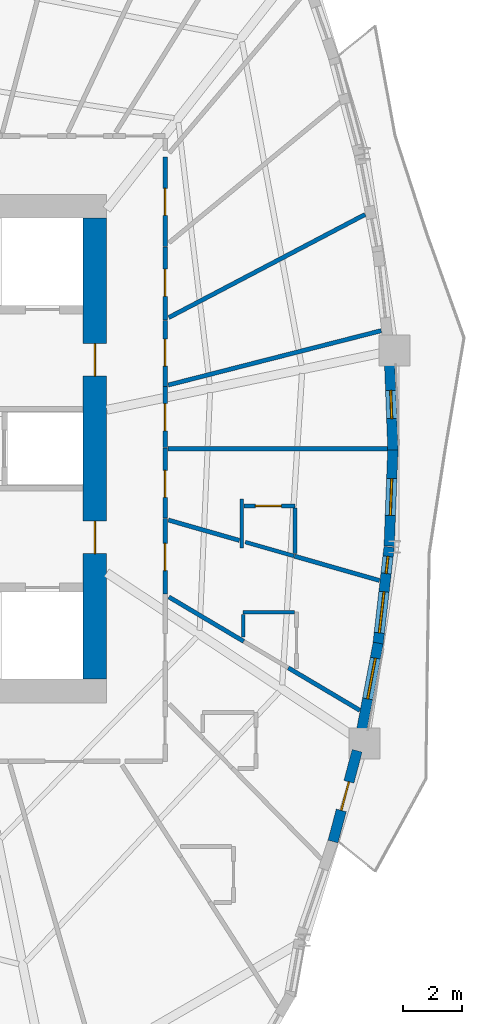
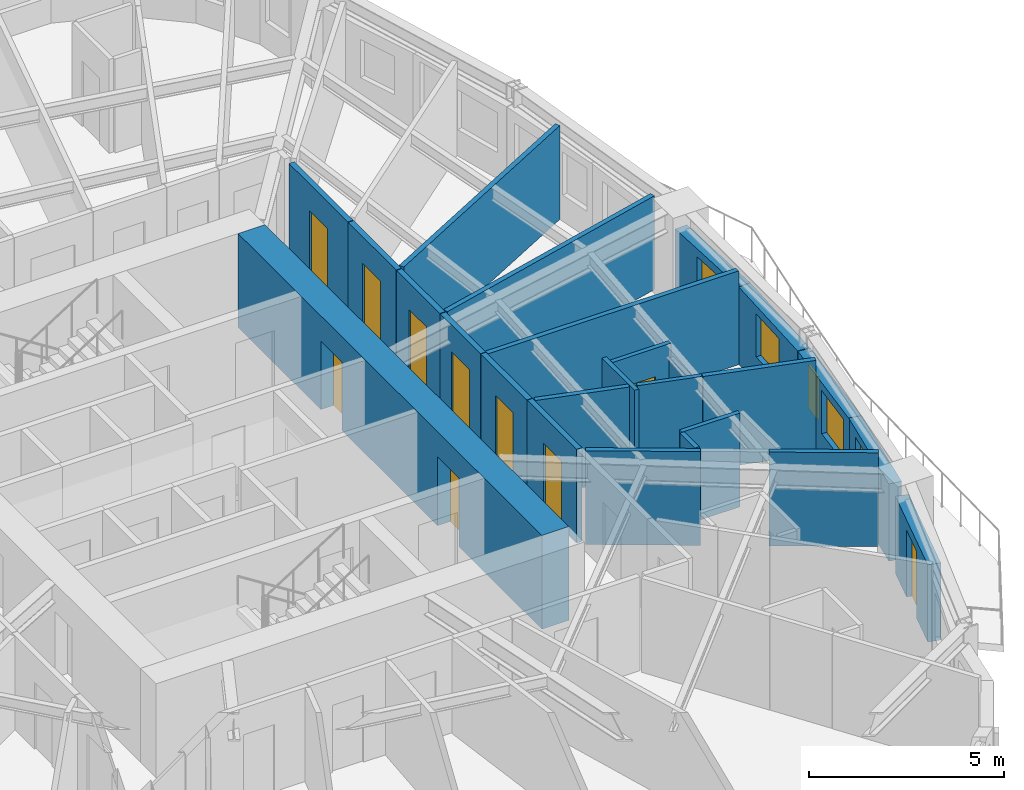
# One storey, part 7 of 14: 25 walls, 10 doors, 5 windows, 15 openings.
"""IFC4 building model written with IfcOpenShell, lengths in metres."""

from ifc_helpers import new_model, si_unit, direction, frame, frame_2d, origin, place, context, subcontext, project, spatial, rectangle, extrude, source, transform, mapped, material, layer, layer_set, type_object, element, fill, save


model = new_model("IFC4")

# Units and contexts
model_context = context("Model", 3, precision=1e-05, world=origin(), true_north=direction((0.0, 1.0)))
body_context = subcontext(model_context, "Body", "Model", "MODEL_VIEW")
ifc_project = project(units=[si_unit("LENGTHUNIT", "METRE"), si_unit("AREAUNIT", "SQUARE_METRE"), si_unit("VOLUMEUNIT", "CUBIC_METRE"), si_unit("PLANEANGLEUNIT", "RADIAN"), si_unit("MASSUNIT", "GRAM", prefix="KILO")], contexts=[model_context])

# Site, building, storey
site_placement = place(None, origin())
site = spatial("IfcSite", under=ifc_project, at=site_placement, CompositionType="ELEMENT")
building_placement = place(site_placement, origin())
building = spatial("IfcBuilding", under=site, at=building_placement, Name="Qafzar Sky-Pleat Residences", CompositionType="ELEMENT")
storey_placement = place(building_placement, frame((0.0, 0.0, 14.199951171875)))
storey = spatial("IfcBuildingStorey", under=building, at=storey_placement, Name="L03", CompositionType="ELEMENT", Elevation=14.199951171875)

# Wall, opening, door
ifc_material_1 = material(Name="Acoustic gypsum plasterboard partition", Category="gypsum")
ifc_layer_1 = layer(ifc_material_1, 0.159912109375)
ifc_layer_set_1 = layer_set([ifc_layer_1], Name="Acoustic gypsum plasterboard partition")
wall_type_1 = type_object("IfcWallType", Name="PART-COR-160", PredefinedType="PARTITIONING", material=ifc_layer_set_1)
wall_1_placement = place(storey_placement, frame((38.679931640625, 35.862060546875, 0.0), z_axis=(0.0, 0.0, 1.0), x_axis=(0.0, -1.0, 0.0)))
wall_1 = element("IfcWall", 1, at=wall_1_placement, inside=storey, type_object=wall_type_1, Name="L03 Partition Wall PART-L03-PW-007", PredefinedType="PARTITIONING", context=body_context, shape_type="SweptSolid", body=[
    extrude(rectangle(XDim=3.024169921875, YDim=0.159912109375, at=frame_2d((1.51220703125, 0.0))), origin(), (0.0, 0.0, 1.0), 2.93994140625),
])
opening_1_placement = place(wall_1_placement, frame((1.053466796875, 0.0, 0.0)))
opening_1 = element("IfcOpeningElement", 2, at=opening_1_placement, cuts=wall_1, Name="Opening ID-04", PredefinedType="OPENING", context=body_context, shape_type="SweptSolid", body=[
    extrude(rectangle(XDim=0.919921875, YDim=2.10009765625, at=frame_2d((0.4599609375, 1.050048828125))), frame((0.0, 0.08984375, 0.0), z_axis=(0.0, -1.0, 0.0), x_axis=(1.0, 0.0, 0.0)), (0.0, 0.0, 1.0), 0.179931640625),
])
ifc_material_2 = material(Name="Timber-faced fire door", Category="wood")
door_type_1 = type_object("IfcDoorType", Name="DR-BED-920", OperationType="NOTDEFINED", PredefinedType="DOOR", material=ifc_material_2)
shared_shape_1 = source(origin(), body_context, "Body", "SweptSolid", [
    extrude(rectangle(XDim=0.919921875, YDim=2.10009765625, at=frame_2d((0.4599609375, 1.050048828125))), frame((0.0, 0.02490234375, 0.0), z_axis=(0.0, -1.0, 0.0), x_axis=(1.0, 0.0, 0.0)), (0.0, 0.0, 1.0), 0.050048828125),
])
door_1_placement = place(opening_1_placement, origin())
door_1 = element("IfcDoor", 3, at=door_1_placement, inside=storey, type_object=door_type_1, Name="L03 Co-Living Bedroom 3 Door", OperationType="SINGLE_SWING_RIGHT", OverallHeight=2.10009765625, OverallWidth=0.919921875, PredefinedType="DOOR", context=body_context, shape_type="MappedRepresentation", body=[
    mapped(shared_shape_1, transform((0.0, 0.0, 0.0), x_axis=(1.0, 0.0, 0.0), y_axis=(0.0, 1.0, 0.0), z_axis=(0.0, 0.0, 1.0), scale=1.0)),
])
fill(opening_1, door_1)

wall_2_placement = place(storey_placement, frame((38.679931640625, 23.6298828125, 0.0), z_axis=(0.0, 0.0, 1.0), x_axis=(0.0, -1.0, 0.0)))
wall_2 = element("IfcWall", 4, at=wall_2_placement, inside=storey, type_object=wall_type_1, Name="L03 Partition Wall PART-L03-PW-012", PredefinedType="PARTITIONING", context=body_context, shape_type="SweptSolid", body=[
    extrude(rectangle(XDim=2.5419921875, YDim=0.159912109375, at=frame_2d((1.27099609375, 0.0))), origin(), (0.0, 0.0, 1.0), 2.93994140625),
])
opening_2_placement = place(wall_2_placement, frame((0.83544921875, 0.0, 0.0)))
opening_2 = element("IfcOpeningElement", 5, at=opening_2_placement, cuts=wall_2, Name="Opening ID-04", PredefinedType="OPENING", context=body_context, shape_type="SweptSolid", body=[
    extrude(rectangle(XDim=0.919921875, YDim=2.10009765625, at=frame_2d((0.4599609375, 1.050048828125))), frame((0.0, 0.08984375, 0.0), z_axis=(0.0, -1.0, 0.0), x_axis=(1.0, 0.0, 0.0)), (0.0, 0.0, 1.0), 0.179931640625),
])
door_2_placement = place(opening_2_placement, origin())
door_2 = element("IfcDoor", 6, at=door_2_placement, inside=storey, type_object=door_type_1, Name="L03 Co-Living Bedroom 19 Door", OperationType="SINGLE_SWING_LEFT", OverallHeight=2.10009765625, OverallWidth=0.919921875, PredefinedType="DOOR", context=body_context, shape_type="MappedRepresentation", body=[
    mapped(shared_shape_1, transform((0.0, 0.0, 0.0), x_axis=(1.0, 0.0, 0.0), y_axis=(0.0, 1.0, 0.0), z_axis=(0.0, 0.0, 1.0), scale=1.0)),
])
fill(opening_2, door_2)

wall_3_placement = place(storey_placement, frame((38.679931640625, 32.822998046875, 0.0), z_axis=(0.0, 0.0, 1.0), x_axis=(0.0, -1.0, 0.0)))
wall_3 = element("IfcWall", 7, at=wall_3_placement, inside=storey, type_object=wall_type_1, Name="L03 Partition Wall PART-L03-PW-013", PredefinedType="PARTITIONING", context=body_context, shape_type="SweptSolid", body=[
    extrude(rectangle(XDim=2.468017578125, YDim=0.159912109375, at=frame_2d((1.23388671875, 0.0))), origin(), (0.0, 0.0, 1.0), 2.93994140625),
])
opening_3_placement = place(wall_3_placement, frame((0.748046875, 0.0, 0.0)))
opening_3 = element("IfcOpeningElement", 8, at=opening_3_placement, cuts=wall_3, Name="Opening ID-04", PredefinedType="OPENING", context=body_context, shape_type="SweptSolid", body=[
    extrude(rectangle(XDim=0.919921875, YDim=2.10009765625, at=frame_2d((0.4599609375, 1.050048828125))), frame((0.0, 0.08984375, 0.0), z_axis=(0.0, -1.0, 0.0), x_axis=(1.0, 0.0, 0.0)), (0.0, 0.0, 1.0), 0.179931640625),
])
door_3_placement = place(opening_3_placement, origin())
door_3 = element("IfcDoor", 9, at=door_3_placement, inside=storey, type_object=door_type_1, Name="L03 Co-Living Bedroom 4 Door", OperationType="SINGLE_SWING_RIGHT", OverallHeight=2.10009765625, OverallWidth=0.919921875, PredefinedType="DOOR", context=body_context, shape_type="MappedRepresentation", body=[
    mapped(shared_shape_1, transform((0.0, 0.0, 0.0), x_axis=(1.0, 0.0, 0.0), y_axis=(0.0, 1.0, 0.0), z_axis=(0.0, 0.0, 1.0), scale=1.0)),
])
fill(opening_3, door_3)

wall_4_placement = place(storey_placement, frame((38.679931640625, 26.014892578125, 0.0), z_axis=(0.0, 0.0, 1.0), x_axis=(0.0, -1.0, 0.0)))
wall_4 = element("IfcWall", 10, at=wall_4_placement, inside=storey, type_object=wall_type_1, Name="L03 Partition Wall PART-L03-PW-015", PredefinedType="PARTITIONING", context=body_context, shape_type="SweptSolid", body=[
    extrude(rectangle(XDim=2.369873046875, YDim=0.159912109375, at=frame_2d((1.18505859375, 0.0))), origin(), (0.0, 0.0, 1.0), 2.93994140625),
])
opening_4_placement = place(wall_4_placement, frame((0.748046875, 0.0, 0.0)))
opening_4 = element("IfcOpeningElement", 11, at=opening_4_placement, cuts=wall_4, Name="Opening ID-04", PredefinedType="OPENING", context=body_context, shape_type="SweptSolid", body=[
    extrude(rectangle(XDim=0.919921875, YDim=2.10009765625, at=frame_2d((0.4599609375, 1.050048828125))), frame((0.0, 0.08984375, 0.0), z_axis=(0.0, -1.0, 0.0), x_axis=(1.0, 0.0, 0.0)), (0.0, 0.0, 1.0), 0.179931640625),
])
door_4_placement = place(opening_4_placement, origin())
door_4 = element("IfcDoor", 12, at=door_4_placement, inside=storey, type_object=door_type_1, Name="L03 Co-Living Bedroom 20 Door", OperationType="SINGLE_SWING_RIGHT", OverallHeight=2.10009765625, OverallWidth=0.919921875, PredefinedType="DOOR", context=body_context, shape_type="MappedRepresentation", body=[
    mapped(shared_shape_1, transform((0.0, 0.0, 0.0), x_axis=(1.0, 0.0, 0.0), y_axis=(0.0, 1.0, 0.0), z_axis=(0.0, 0.0, 1.0), scale=1.0)),
])
fill(opening_4, door_4)

wall_5_placement = place(storey_placement, frame((38.679931640625, 30.340087890625, 0.0), z_axis=(0.0, 0.0, 1.0), x_axis=(0.0, -1.0, 0.0)))
wall_5 = element("IfcWall", 13, at=wall_5_placement, inside=storey, type_object=wall_type_1, Name="L03 Partition Wall PART-L03-PW-019", PredefinedType="PARTITIONING", context=body_context, shape_type="SweptSolid", body=[
    extrude(rectangle(XDim=2.22998046875, YDim=0.159912109375, at=frame_2d((1.114990234375, 0.0))), origin(), (0.0, 0.0, 1.0), 2.93994140625),
])
opening_5_placement = place(wall_5_placement, frame((0.631591796875, 0.0, 0.0)))
opening_5 = element("IfcOpeningElement", 14, at=opening_5_placement, cuts=wall_5, Name="Opening ID-04", PredefinedType="OPENING", context=body_context, shape_type="SweptSolid", body=[
    extrude(rectangle(XDim=0.919921875, YDim=2.10009765625, at=frame_2d((0.4599609375, 1.050048828125))), frame((0.0, 0.08984375, 0.0), z_axis=(0.0, -1.0, 0.0), x_axis=(1.0, 0.0, 0.0)), (0.0, 0.0, 1.0), 0.179931640625),
])
door_5_placement = place(opening_5_placement, origin())
door_5 = element("IfcDoor", 15, at=door_5_placement, inside=storey, type_object=door_type_1, Name="L03 Co-Living Bedroom 1 Door", OperationType="SINGLE_SWING_LEFT", OverallHeight=2.10009765625, OverallWidth=0.919921875, PredefinedType="DOOR", context=body_context, shape_type="MappedRepresentation", body=[
    mapped(shared_shape_1, transform((0.0, 0.0, 0.0), x_axis=(1.0, 0.0, 0.0), y_axis=(0.0, 1.0, 0.0), z_axis=(0.0, 0.0, 1.0), scale=1.0)),
])
fill(opening_5, door_5)

wall_6_placement = place(storey_placement, frame((38.679931640625, 28.094970703125, 0.0), z_axis=(0.0, 0.0, 1.0), x_axis=(0.0, -1.0, 0.0)))
wall_6 = element("IfcWall", 16, at=wall_6_placement, inside=storey, type_object=wall_type_1, Name="L03 Partition Wall PART-L03-PW-021", PredefinedType="PARTITIONING", context=body_context, shape_type="SweptSolid", body=[
    extrude(rectangle(XDim=2.06494140625, YDim=0.159912109375, at=frame_2d((1.032470703125, 0.0))), origin(), (0.0, 0.0, 1.0), 2.93994140625),
])
opening_6_placement = place(wall_6_placement, frame((0.572509765625, 0.0, 0.0)))
opening_6 = element("IfcOpeningElement", 17, at=opening_6_placement, cuts=wall_6, Name="Opening ID-04", PredefinedType="OPENING", context=body_context, shape_type="SweptSolid", body=[
    extrude(rectangle(XDim=0.919921875, YDim=2.10009765625, at=frame_2d((0.4599609375, 1.050048828125))), frame((0.0, 0.08984375, 0.0), z_axis=(0.0, -1.0, 0.0), x_axis=(1.0, 0.0, 0.0)), (0.0, 0.0, 1.0), 0.179931640625),
])
door_6_placement = place(opening_6_placement, origin())
door_6 = element("IfcDoor", 18, at=door_6_placement, inside=storey, type_object=door_type_1, Name="L03 Co-Living Bedroom 2 Door", OperationType="SINGLE_SWING_LEFT", OverallHeight=2.10009765625, OverallWidth=0.919921875, PredefinedType="DOOR", context=body_context, shape_type="MappedRepresentation", body=[
    mapped(shared_shape_1, transform((0.0, 0.0, 0.0), x_axis=(1.0, 0.0, 0.0), y_axis=(0.0, 1.0, 0.0), z_axis=(0.0, 0.0, 1.0), scale=1.0)),
])
fill(opening_6, door_6)

# Walls
ifc_layer_2 = layer(ifc_material_1, 0.14501953125)
ifc_layer_set_2 = layer_set([ifc_layer_2], Name="Acoustic gypsum plasterboard partition")
wall_type_2 = type_object("IfcWallType", Name="PART-UNIT-145", PredefinedType="PARTITIONING", material=ifc_layer_set_2)
wall_7_placement = place(storey_placement, frame((38.80078125, 30.435302734375, 0.0), z_axis=(0.0, 0.0, 1.0), x_axis=(0.885428701358, 0.46477523042, 0.0)))
element("IfcWall", 19, at=wall_7_placement, inside=storey, type_object=wall_type_2, Name="L03 Partition Wall PART-L03-PW-049", PredefinedType="PARTITIONING", context=body_context, shape_type="SweptSolid", body=[
    extrude(rectangle(XDim=7.503173828125, YDim=0.14501953125, at=frame_2d((3.75146484375, 0.0))), origin(), (0.0, 0.0, 1.0), 2.93994140625),
])
wall_8_placement = place(storey_placement, frame((38.78564453125, 28.152099609375, 0.0), z_axis=(0.0, 0.0, 1.0), x_axis=(0.968940490632, 0.247294006424, 0.0)))
element("IfcWall", 20, at=wall_8_placement, inside=storey, type_object=wall_type_2, Name="L03 Partition Wall PART-L03-PW-050", PredefinedType="PARTITIONING", context=body_context, shape_type="SweptSolid", body=[
    extrude(rectangle(XDim=7.431884765625, YDim=0.14501953125, at=frame_2d((3.7158203125, 0.0))), origin(), (0.0, 0.0, 1.0), 2.93994140625),
])
wall_9_placement = place(storey_placement, frame((38.76806640625, 26.0, 0.0), z_axis=(0.0, 0.0, 1.0), x_axis=(1.0, 0.0, 0.0)))
element("IfcWall", 21, at=wall_9_placement, inside=storey, type_object=wall_type_2, Name="L03 Partition Wall PART-L03-PW-051", PredefinedType="PARTITIONING", context=body_context, shape_type="SweptSolid", body=[
    extrude(rectangle(XDim=7.43017578125, YDim=0.14501953125, at=frame_2d((3.715087890625, 0.0))), origin(), (0.0, 0.0, 1.0), 2.93994140625),
])
wall_10_placement = place(storey_placement, frame((38.803955078125, 20.9814453125, 0.0), z_axis=(0.0, 0.0, 1.0), x_axis=(0.859905944731, -0.510452511225, 0.0)))
element("IfcWall", 22, at=wall_10_placement, inside=storey, type_object=wall_type_2, Name="L03 Partition Wall PART-L03-PW-067", PredefinedType="PARTITIONING", context=body_context, shape_type="SweptSolid", body=[
    extrude(rectangle(XDim=2.943359375, YDim=0.14501953125, at=frame_2d((1.4716796875, 0.0))), origin(), (0.0, 0.0, 1.0), 2.93994140625),
])
wall_11_placement = place(storey_placement, frame((43.054931640625, 22.361083984375, 0.0), z_axis=(0.0, 0.0, 1.0), x_axis=(0.961351316588, -0.275324619486, 0.0)))
element("IfcWall", 23, at=wall_11_placement, inside=storey, type_object=wall_type_2, Name="L03 Partition Wall PART-L03-PW-068", PredefinedType="PARTITIONING", context=body_context, shape_type="SweptSolid", body=[
    extrude(rectangle(XDim=2.991943359375, YDim=0.14501953125, at=frame_2d((1.49609375, 0.0))), origin(), (0.0, 0.0, 1.0), 2.93994140625),
])
wall_12_placement = place(storey_placement, frame((42.847900390625, 18.5810546875, 0.0), z_axis=(0.0, 0.0, 1.0), x_axis=(0.859872599939, -0.510508679528, 0.0)))
element("IfcWall", 24, at=wall_12_placement, inside=storey, type_object=wall_type_2, Name="L03 Partition Wall PART-L03-PW-070", PredefinedType="PARTITIONING", context=body_context, shape_type="SweptSolid", body=[
    extrude(rectangle(XDim=2.8134765625, YDim=0.14501953125, at=frame_2d((1.40673828125, 0.0))), origin(), (0.0, 0.0, 1.0), 2.93994140625),
])
wall_13_placement = place(storey_placement, frame((38.78759765625, 23.583251953125, 0.0), z_axis=(0.0, 0.0, 1.0), x_axis=(0.961350656565, -0.275326924078, 0.0)))
element("IfcWall", 25, at=wall_13_placement, inside=storey, type_object=wall_type_2, Name="L03 Partition Wall PART-L03-PW-073", PredefinedType="PARTITIONING", context=body_context, shape_type="SweptSolid", body=[
    extrude(rectangle(XDim=2.50146484375, YDim=0.14501953125, at=frame_2d((1.250732421875, 0.0))), origin(), (0.0, 0.0, 1.0), 2.93994140625),
])

# Wall, opening, door
ifc_material_3 = material(Name="Moisture-resistant gypsum partition", Category="gypsum")
ifc_layer_3 = layer(ifc_material_3, 0.1298828125)
ifc_layer_set_3 = layer_set([ifc_layer_3], Name="Moisture-resistant gypsum partition")
wall_type_3 = type_object("IfcWallType", Name="PART-WET-130", PredefinedType="PARTITIONING", material=ifc_layer_set_3)
wall_14_placement = place(storey_placement, frame((43.070068359375, 24.06005859375, 0.0), z_axis=(0.0, 0.0, 1.0), x_axis=(-1.0, 0.0, 0.0)))
wall_14 = element("IfcWall", 26, at=wall_14_placement, inside=storey, type_object=wall_type_3, Name="L03 Partition Wall PART-L03-PW-035", PredefinedType="PARTITIONING", context=body_context, shape_type="SweptSolid", body=[
    extrude(rectangle(XDim=1.72705078125, YDim=0.1298828125, at=frame_2d((0.863525390625, 0.0))), origin(), (0.0, 0.0, 1.0), 2.93994140625),
])
opening_7_placement = place(wall_14_placement, frame((0.4599609375, 0.0, 0.0)))
opening_7 = element("IfcOpeningElement", 27, at=opening_7_placement, cuts=wall_14, Name="Opening ID-07", PredefinedType="OPENING", context=body_context, shape_type="SweptSolid", body=[
    extrude(rectangle(XDim=0.8798828125, YDim=2.050048828125, at=frame_2d((0.43994140625, 1.02490234375))), frame((0.0, 0.074951171875, 0.0), z_axis=(0.0, -1.0, 0.0), x_axis=(1.0, 0.0, 0.0)), (0.0, 0.0, 1.0), 0.14990234375),
])
door_type_2 = type_object("IfcDoorType", Name="DR-WET-880", OperationType="NOTDEFINED", PredefinedType="DOOR", material=ifc_material_2)
shared_shape_2 = source(origin(), body_context, "Body", "SweptSolid", [
    extrude(rectangle(XDim=0.8798828125, YDim=2.050048828125, at=frame_2d((0.43994140625, 1.02490234375))), frame((0.0, 0.02490234375, 0.0), z_axis=(0.0, -1.0, 0.0), x_axis=(1.0, 0.0, 0.0)), (0.0, 0.0, 1.0), 0.050048828125),
])
door_7_placement = place(opening_7_placement, origin())
door_7 = element("IfcDoor", 28, at=door_7_placement, inside=storey, type_object=door_type_2, Name="L03 En-suite Bathroom 20 Door", OperationType="SINGLE_SWING_LEFT", OverallHeight=2.050048828125, OverallWidth=0.8798828125, PredefinedType="DOOR", context=body_context, shape_type="MappedRepresentation", body=[
    mapped(shared_shape_2, transform((0.0, 0.0, 0.0), x_axis=(1.0, 0.0, 0.0), y_axis=(0.0, 1.0, 0.0), z_axis=(0.0, 0.0, 1.0), scale=1.0)),
])
fill(opening_7, door_7)

# Walls
wall_15_placement = place(storey_placement, frame((41.39013671875, 22.83837890625, 0.0), z_axis=(0.0, 0.0, 1.0), x_axis=(0.961362810051, -0.275284484582, 0.0)))
element("IfcWall", 29, at=wall_15_placement, inside=storey, type_object=wall_type_3, Name="L03 Partition Wall PART-L03-PW-079", PredefinedType="PARTITIONING", context=body_context, shape_type="SweptSolid", body=[
    extrude(rectangle(XDim=1.717041015625, YDim=0.1298828125, at=frame_2d((0.8583984375, 0.0))), origin(), (0.0, 0.0, 1.0), 2.93994140625),
])
wall_16_placement = place(storey_placement, frame((41.320068359375, 20.466064453125, 0.0), z_axis=(0.0, 0.0, 1.0), x_axis=(1.0, 0.0, 0.0)))
element("IfcWall", 30, at=wall_16_placement, inside=storey, type_object=wall_type_3, Name="L03 Partition Wall PART-L03-PW-090", PredefinedType="PARTITIONING", context=body_context, shape_type="SweptSolid", body=[
    extrude(rectangle(XDim=1.72705078125, YDim=0.1298828125, at=frame_2d((0.863525390625, 0.0))), origin(), (0.0, 0.0, 1.0), 2.93994140625),
])
wall_17_placement = place(storey_placement, frame((43.070068359375, 22.458984375, 0.0), z_axis=(0.0, 0.0, 1.0), x_axis=(0.0, 1.0, 0.0)))
element("IfcWall", 31, at=wall_17_placement, inside=storey, type_object=wall_type_3, Name="L03 Partition Wall PART-L03-PW-094", PredefinedType="PARTITIONING", context=body_context, shape_type="SweptSolid", body=[
    extrude(rectangle(XDim=1.528076171875, YDim=0.1298828125, at=frame_2d((0.76416015625, 0.0))), origin(), (0.0, 0.0, 1.0), 2.508056640625),
])
wall_18_placement = place(storey_placement, frame((41.27001953125, 22.633056640625, 0.0), z_axis=(0.0, 0.0, 1.0), x_axis=(0.0, 1.0, 0.0)))
element("IfcWall", 32, at=wall_18_placement, inside=storey, type_object=wall_type_3, Name="L03 Partition Wall PART-L03-PW-102", PredefinedType="PARTITIONING", context=body_context, shape_type="SweptSolid", body=[
    extrude(rectangle(XDim=1.6669921875, YDim=0.1298828125, at=frame_2d((0.83349609375, 0.0))), origin(), (0.0, 0.0, 1.0), 2.93994140625),
])
wall_19_placement = place(storey_placement, frame((41.320068359375, 19.618896484375, 0.0), z_axis=(0.0, 0.0, 1.0), x_axis=(0.0, 1.0, 0.0)))
element("IfcWall", 33, at=wall_19_placement, inside=storey, type_object=wall_type_3, Name="L03 Partition Wall PART-L03-PW-108", PredefinedType="PARTITIONING", context=body_context, shape_type="SweptSolid", body=[
    extrude(rectangle(XDim=0.774169921875, YDim=0.1298828125, at=frame_2d((0.38720703125, 0.0))), origin(), (0.0, 0.0, 1.0), 2.93994140625),
])

# Wall, opening, door
ifc_material_4 = material(Name="Precast concrete C40/50 with honed Riyadh limestone", Category="concrete")
ifc_layer_4 = layer(ifc_material_4, 0.35009765625)
ifc_layer_set_4 = layer_set([ifc_layer_4], Name="Precast concrete C40/50 with honed Riyadh limestone")
wall_type_4 = type_object("IfcWallType", Name="WALL-EXT-350", PredefinedType="SOLIDWALL", material=ifc_layer_set_4)
wall_20_placement = place(storey_placement, frame((44.3583984375, 12.7060546875, 0.0), z_axis=(0.0, 0.0, 1.0), x_axis=(0.25708907847, 0.966387709841, 0.0)))
wall_20 = element("IfcWall", 34, at=wall_20_placement, inside=storey, type_object=wall_type_4, Name="L03 Limestone Facade Wall 24", PredefinedType="SOLIDWALL", context=body_context, shape_type="SweptSolid", body=[
    extrude(rectangle(XDim=3.179443359375, YDim=0.35009765625, at=frame_2d((1.58984375, 0.0))), origin(), (0.0, 0.0, 1.0), 2.420166015625),
])
opening_8_placement = place(wall_20_placement, frame((1.089599609375, 0.0, 0.0)))
opening_8 = element("IfcOpeningElement", 35, at=opening_8_placement, cuts=wall_20, Name="Opening ED-05", PredefinedType="OPENING", context=body_context, shape_type="SweptSolid", body=[
    extrude(rectangle(XDim=1.0, YDim=2.10009765625, at=frame_2d((0.5, 1.050048828125))), frame((0.0, 0.18505859375, 0.0), z_axis=(0.0, -1.0, 0.0), x_axis=(1.0, 0.0, 0.0)), (0.0, 0.0, 1.0), 0.3701171875),
])
ifc_material_5 = material(Name="Glazed bronze aluminium door", Category="aluminium")
door_type_3 = type_object("IfcDoorType", Name="DR-BAL-1000", OperationType="NOTDEFINED", PredefinedType="DOOR", material=ifc_material_5)
shared_shape_3 = source(origin(), body_context, "Body", "SweptSolid", [
    extrude(rectangle(XDim=1.0, YDim=2.10009765625, at=frame_2d((0.5, 1.050048828125))), frame((0.0, 0.02490234375, 0.0), z_axis=(0.0, -1.0, 0.0), x_axis=(1.0, 0.0, 0.0)), (0.0, 0.0, 1.0), 0.050048828125),
])
door_8_placement = place(opening_8_placement, origin())
door_8 = element("IfcDoor", 36, at=door_8_placement, inside=storey, type_object=door_type_3, Name="L03 Glazed Balcony Door 1", OperationType="SINGLE_SWING_LEFT", OverallHeight=2.10009765625, OverallWidth=1.0, PredefinedType="DOOR", context=body_context, shape_type="MappedRepresentation", body=[
    mapped(shared_shape_3, transform((0.0, 0.0, 0.0), x_axis=(1.0, 0.0, 0.0), y_axis=(0.0, 1.0, 0.0), z_axis=(0.0, 0.0, 1.0), scale=1.0)),
])
fill(opening_8, door_8)

# Wall, opening, window
wall_21_placement = place(storey_placement, frame((45.305908203125, 16.350830078125, 0.0), z_axis=(0.0, 0.0, 1.0), x_axis=(0.186681017514, 0.982420580861, 0.0)))
wall_21 = element("IfcWall", 37, at=wall_21_placement, inside=storey, type_object=wall_type_4, Name="L03 Limestone Facade Wall 25", PredefinedType="SOLIDWALL", context=body_context, shape_type="SweptSolid", body=[
    extrude(rectangle(XDim=3.123046875, YDim=0.35009765625, at=frame_2d((1.5615234375, 0.0))), origin(), (0.0, 0.0, 1.0), 2.420166015625),
])
opening_9_placement = place(wall_21_placement, frame((1.2041015625, 0.0, 0.820068359375)))
opening_9 = element("IfcOpeningElement", 38, at=opening_9_placement, cuts=wall_21, Name="Opening WN-10", PredefinedType="OPENING", context=body_context, shape_type="SweptSolid", body=[
    extrude(rectangle(XDim=1.39990234375, YDim=1.35009765625, at=frame_2d((0.699951171875, 0.675048828125))), frame((0.0, 0.18505859375, 0.0), z_axis=(0.0, -1.0, 0.0), x_axis=(1.0, 0.0, 0.0)), (0.0, 0.0, 1.0), 0.3701171875),
])
ifc_material_6 = material(Name="Solar-control low-E glass in bronze aluminium frame", Category="glass")
window_type_1 = type_object("IfcWindowType", Name="WIN-10", PartitioningType="SINGLE_PANEL", PredefinedType="WINDOW", material=ifc_material_6)
shared_shape_4 = source(origin(), body_context, "Body", "SweptSolid", [
    extrude(rectangle(XDim=1.39990234375, YDim=1.35009765625, at=frame_2d((0.699951171875, 0.675048828125))), frame((0.0, 0.030029296875, 0.0), z_axis=(0.0, -1.0, 0.0), x_axis=(1.0, 0.0, 0.0)), (0.0, 0.0, 1.0), 0.06005859375),
])
window_1_placement = place(opening_9_placement, origin())
window_1 = element("IfcWindow", 39, at=window_1_placement, inside=storey, type_object=window_type_1, Name="L03 Punched Facade Window 25-2", OverallHeight=1.35009765625, OverallWidth=1.39990234375, PartitioningType="SINGLE_PANEL", PredefinedType="WINDOW", context=body_context, shape_type="MappedRepresentation", body=[
    mapped(shared_shape_4, transform((0.0, 0.0, 0.0), x_axis=(1.0, 0.0, 0.0), y_axis=(0.0, 1.0, 0.0), z_axis=(0.0, 0.0, 1.0), scale=1.0)),
])
fill(opening_9, window_1)

# Wall, openings, windows
wall_22_placement = place(storey_placement, frame((45.87548828125, 19.3310546875, 0.0), z_axis=(0.0, 0.0, 1.0), x_axis=(0.113329685842, 0.99355743785, 0.0)))
wall_22 = element("IfcWall", 40, at=wall_22_placement, inside=storey, type_object=wall_type_4, Name="L03 Limestone Facade Wall 26", PredefinedType="SOLIDWALL", context=body_context, shape_type="SweptSolid", body=[
    extrude(rectangle(XDim=3.364990234375, YDim=0.35009765625, at=frame_2d((1.6826171875, 0.0))), origin(), (0.0, 0.0, 1.0), 2.420166015625),
])
opening_10_placement = place(wall_22_placement, frame((0.436767578125, 0.0, 0.820068359375)))
opening_10 = element("IfcOpeningElement", 41, at=opening_10_placement, cuts=wall_22, Name="Opening WN-10", PredefinedType="OPENING", context=body_context, shape_type="SweptSolid", body=[
    extrude(rectangle(XDim=1.39990234375, YDim=1.35009765625, at=frame_2d((0.699951171875, 0.675048828125))), frame((0.0, 0.18505859375, 0.0), z_axis=(0.0, -1.0, 0.0), x_axis=(1.0, 0.0, 0.0)), (0.0, 0.0, 1.0), 0.3701171875),
])
opening_11_placement = place(wall_22_placement, frame((2.45947265625, 0.0, 0.820068359375)))
opening_11 = element("IfcOpeningElement", 42, at=opening_11_placement, cuts=wall_22, Name="Opening WN-17", PredefinedType="OPENING", context=body_context, shape_type="SweptSolid", body=[
    extrude(rectangle(XDim=0.580078125, YDim=1.35009765625, at=frame_2d((0.2900390625, 0.675048828125))), frame((0.0, 0.18505859375, 0.0), z_axis=(0.0, -1.0, 0.0), x_axis=(1.0, 0.0, 0.0)), (0.0, 0.0, 1.0), 0.3701171875),
])
window_type_2 = type_object("IfcWindowType", Name="WIN-17", PartitioningType="SINGLE_PANEL", PredefinedType="WINDOW", material=ifc_material_6)
shared_shape_5 = source(origin(), body_context, "Body", "SweptSolid", [
    extrude(rectangle(XDim=0.580078125, YDim=1.35009765625, at=frame_2d((0.2900390625, 0.675048828125))), frame((0.0, 0.030029296875, 0.0), z_axis=(0.0, -1.0, 0.0), x_axis=(1.0, 0.0, 0.0)), (0.0, 0.0, 1.0), 0.06005859375),
])
window_2_placement = place(opening_11_placement, origin())
window_2 = element("IfcWindow", 43, at=window_2_placement, inside=storey, type_object=window_type_2, Name="L03 Punched Facade Window 26-2", OverallHeight=1.35009765625, OverallWidth=0.580078125, PartitioningType="SINGLE_PANEL", PredefinedType="WINDOW", context=body_context, shape_type="MappedRepresentation", body=[
    mapped(shared_shape_5, transform((0.0, 0.0, 0.0), x_axis=(1.0, 0.0, 0.0), y_axis=(0.0, 1.0, 0.0), z_axis=(0.0, 0.0, 1.0), scale=1.0)),
])
fill(opening_11, window_2)
window_3_placement = place(opening_10_placement, origin())
window_3 = element("IfcWindow", 44, at=window_3_placement, inside=storey, type_object=window_type_1, Name="L03 Punched Facade Window 26", OverallHeight=1.35009765625, OverallWidth=1.39990234375, PartitioningType="SINGLE_PANEL", PredefinedType="WINDOW", context=body_context, shape_type="MappedRepresentation", body=[
    mapped(shared_shape_4, transform((0.0, 0.0, 0.0), x_axis=(1.0, 0.0, 0.0), y_axis=(0.0, 1.0, 0.0), z_axis=(0.0, 0.0, 1.0), scale=1.0)),
])
fill(opening_10, window_3)

# Wall, opening, window
wall_23_placement = place(storey_placement, frame((46.2587890625, 22.701171875, 0.0), z_axis=(0.0, 0.0, 1.0), x_axis=(0.038015581842, 0.99927714651, 0.0)))
wall_23 = element("IfcWall", 45, at=wall_23_placement, inside=storey, type_object=wall_type_4, Name="L03 Limestone Facade Wall 27", PredefinedType="SOLIDWALL", context=body_context, shape_type="SweptSolid", body=[
    extrude(rectangle(XDim=3.345947265625, YDim=0.35009765625, at=frame_2d((1.6728515625, 0.0))), origin(), (0.0, 0.0, 1.0), 2.420166015625),
])
opening_12_placement = place(wall_23_placement, frame((1.0380859375, 0.0, 0.820068359375)))
opening_12 = element("IfcOpeningElement", 46, at=opening_12_placement, cuts=wall_23, Name="Opening WN-11", PredefinedType="OPENING", context=body_context, shape_type="SweptSolid", body=[
    extrude(rectangle(XDim=1.25, YDim=1.35009765625, at=frame_2d((0.625, 0.675048828125))), frame((0.0, 0.18505859375, 0.0), z_axis=(0.0, -1.0, 0.0), x_axis=(1.0, 0.0, 0.0)), (0.0, 0.0, 1.0), 0.3701171875),
])
window_type_3 = type_object("IfcWindowType", Name="WIN-11", PartitioningType="SINGLE_PANEL", PredefinedType="WINDOW", material=ifc_material_6)
shared_shape_6 = source(origin(), body_context, "Body", "SweptSolid", [
    extrude(rectangle(XDim=1.25, YDim=1.35009765625, at=frame_2d((0.625, 0.675048828125))), frame((0.0, 0.030029296875, 0.0), z_axis=(0.0, -1.0, 0.0), x_axis=(1.0, 0.0, 0.0)), (0.0, 0.0, 1.0), 0.06005859375),
])
window_4_placement = place(opening_12_placement, origin())
window_4 = element("IfcWindow", 47, at=window_4_placement, inside=storey, type_object=window_type_3, Name="L03 Punched Facade Window 27", OverallHeight=1.35009765625, OverallWidth=1.25, PartitioningType="SINGLE_PANEL", PredefinedType="WINDOW", context=body_context, shape_type="MappedRepresentation", body=[
    mapped(shared_shape_6, transform((0.0, 0.0, 0.0), x_axis=(1.0, 0.0, 0.0), y_axis=(0.0, 1.0, 0.0), z_axis=(0.0, 0.0, 1.0), scale=1.0)),
])
fill(opening_12, window_4)

wall_24_placement = place(storey_placement, frame((46.385986328125, 25.955322265625, 0.0), z_axis=(0.0, 0.0, 1.0), x_axis=(-0.038063081658, 0.99927533834, 0.0)))
wall_24 = element("IfcWall", 48, at=wall_24_placement, inside=storey, type_object=wall_type_4, Name="L03 Limestone Facade Wall 28", PredefinedType="SOLIDWALL", context=body_context, shape_type="SweptSolid", body=[
    extrude(rectangle(XDim=3.06591796875, YDim=0.35009765625, at=frame_2d((1.532958984375, 0.0))), origin(), (0.0, 0.0, 1.0), 2.420166015625),
])
opening_13_placement = place(wall_24_placement, frame((1.06298828125, 0.0, 0.820068359375)))
opening_13 = element("IfcOpeningElement", 49, at=opening_13_placement, cuts=wall_24, Name="Opening WN-12", PredefinedType="OPENING", context=body_context, shape_type="SweptSolid", body=[
    extrude(rectangle(XDim=0.949951171875, YDim=1.35009765625, at=frame_2d((0.47509765625, 0.675048828125))), frame((0.0, 0.18505859375, 0.0), z_axis=(0.0, -1.0, 0.0), x_axis=(1.0, 0.0, 0.0)), (0.0, 0.0, 1.0), 0.3701171875),
])
window_type_4 = type_object("IfcWindowType", Name="WIN-12", PartitioningType="SINGLE_PANEL", PredefinedType="WINDOW", material=ifc_material_6)
shared_shape_7 = source(origin(), body_context, "Body", "SweptSolid", [
    extrude(rectangle(XDim=0.949951171875, YDim=1.35009765625, at=frame_2d((0.47509765625, 0.675048828125))), frame((0.0, 0.030029296875, 0.0), z_axis=(0.0, -1.0, 0.0), x_axis=(1.0, 0.0, 0.0)), (0.0, 0.0, 1.0), 0.06005859375),
])
window_5_placement = place(opening_13_placement, origin())
window_5 = element("IfcWindow", 50, at=window_5_placement, inside=storey, type_object=window_type_4, Name="L03 Punched Facade Window 28", OverallHeight=1.35009765625, OverallWidth=0.949951171875, PartitioningType="SINGLE_PANEL", PredefinedType="WINDOW", context=body_context, shape_type="MappedRepresentation", body=[
    mapped(shared_shape_7, transform((0.0, 0.0, 0.0), x_axis=(1.0, 0.0, 0.0), y_axis=(0.0, 1.0, 0.0), z_axis=(0.0, 0.0, 1.0), scale=1.0)),
])
fill(opening_13, window_5)

# Wall, openings, doors
ifc_material_7 = material(Name="Concrete C60/75", Category="concrete")
ifc_layer_5 = layer(ifc_material_7, 0.800048828125)
ifc_layer_set_5 = layer_set([ifc_layer_5], Name="Concrete C60/75")
wall_type_5 = type_object("IfcWallType", Name="WALL-SHEAR-800", PredefinedType="SHEAR", material=ifc_layer_set_5)
wall_25_placement = place(storey_placement, frame((36.300048828125, 18.199951171875, 0.0), z_axis=(0.0, 0.0, 1.0), x_axis=(0.0, 1.0, 0.0)))
wall_25 = element("IfcWall", 51, at=wall_25_placement, inside=storey, type_object=wall_type_5, Name="L03 CORE wall E", PredefinedType="SHEAR", context=body_context, shape_type="SweptSolid", body=[
    extrude(rectangle(XDim=15.60009765625, YDim=0.800048828125, at=frame_2d((7.800048828125, 0.0))), origin(), (0.0, 0.0, 1.0), 2.93994140625),
])
opening_14_placement = place(wall_25_placement, frame((4.25, 0.0, 0.0)))
opening_14 = element("IfcOpeningElement", 52, at=opening_14_placement, cuts=wall_25, Name="Opening ID-02", PredefinedType="OPENING", context=body_context, shape_type="SweptSolid", body=[
    extrude(rectangle(XDim=1.10009765625, YDim=2.14990234375, at=frame_2d((0.550048828125, 1.074951171875))), frame((0.0, 0.41015625, 0.0), z_axis=(0.0, -1.0, 0.0), x_axis=(1.0, 0.0, 0.0)), (0.0, 0.0, 1.0), 0.820068359375),
])
opening_15_placement = place(wall_25_placement, frame((10.25, 0.0, 0.0)))
opening_15 = element("IfcOpeningElement", 53, at=opening_15_placement, cuts=wall_25, Name="Opening ID-02", PredefinedType="OPENING", context=body_context, shape_type="SweptSolid", body=[
    extrude(rectangle(XDim=1.10009765625, YDim=2.14990234375, at=frame_2d((0.550048828125, 1.074951171875))), frame((0.0, 0.41015625, 0.0), z_axis=(0.0, -1.0, 0.0), x_axis=(1.0, 0.0, 0.0)), (0.0, 0.0, 1.0), 0.820068359375),
])
door_type_4 = type_object("IfcDoorType", Name="DR-FFL-1100", OperationType="NOTDEFINED", PredefinedType="DOOR", material=ifc_material_2)
shared_shape_8 = source(origin(), body_context, "Body", "SweptSolid", [
    extrude(rectangle(XDim=1.10009765625, YDim=2.14990234375, at=frame_2d((0.550048828125, 1.074951171875))), frame((0.0, 0.02490234375, 0.0), z_axis=(0.0, -1.0, 0.0), x_axis=(1.0, 0.0, 0.0)), (0.0, 0.0, 1.0), 0.050048828125),
])
door_9_placement = place(opening_14_placement, origin())
door_9 = element("IfcDoor", 54, at=door_9_placement, inside=storey, type_object=door_type_4, Name="L03 Firefighting Lobby South Corridor Door", OperationType="SINGLE_SWING_LEFT", OverallHeight=2.14990234375, OverallWidth=1.10009765625, PredefinedType="DOOR", context=body_context, shape_type="MappedRepresentation", body=[
    mapped(shared_shape_8, transform((0.0, 0.0, 0.0), x_axis=(1.0, 0.0, 0.0), y_axis=(0.0, 1.0, 0.0), z_axis=(0.0, 0.0, 1.0), scale=1.0)),
])
fill(opening_14, door_9)
door_10_placement = place(opening_15_placement, origin())
door_10 = element("IfcDoor", 55, at=door_10_placement, inside=storey, type_object=door_type_4, Name="L03 Firefighting Lobby North Corridor Door", OperationType="SINGLE_SWING_RIGHT", OverallHeight=2.14990234375, OverallWidth=1.10009765625, PredefinedType="DOOR", context=body_context, shape_type="MappedRepresentation", body=[
    mapped(shared_shape_8, transform((0.0, 0.0, 0.0), x_axis=(1.0, 0.0, 0.0), y_axis=(0.0, 1.0, 0.0), z_axis=(0.0, 0.0, 1.0), scale=1.0)),
])
fill(opening_15, door_10)

save(model, "model.ifc")
